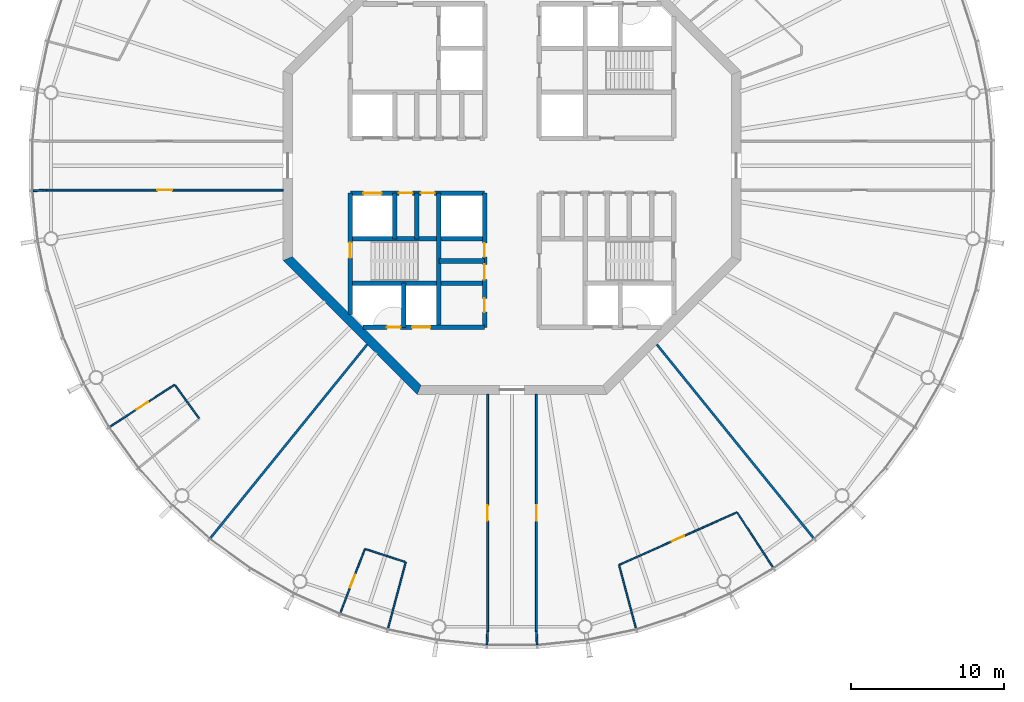
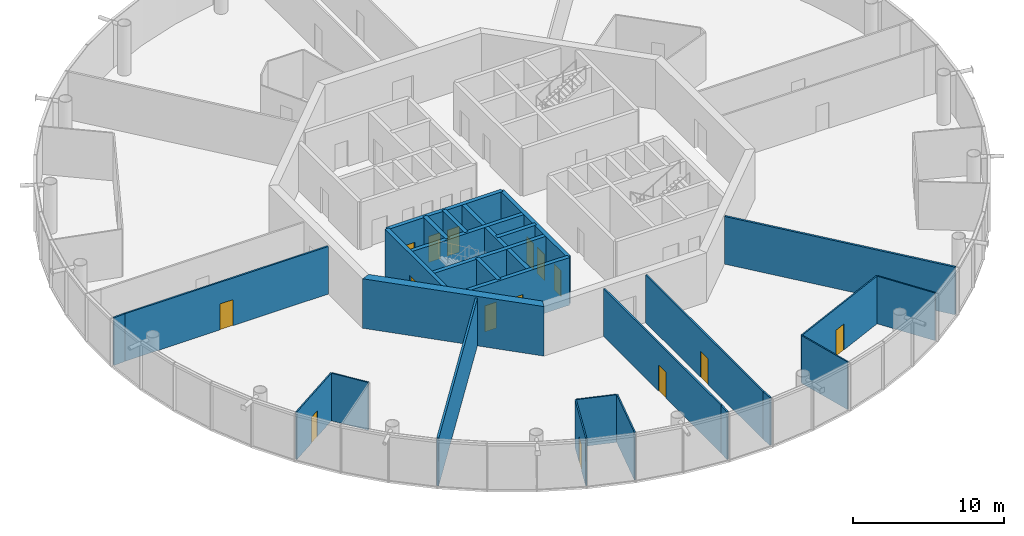
# One storey, part 3 of 18: 28 walls, 15 doors, 15 openings.
"""IFC4 building model written with IfcOpenShell, lengths in metres."""

from ifc_helpers import new_model, si_unit, direction, frame, frame_2d, origin, place, context, subcontext, project, spatial, polyline, rectangle, outline, extrude, material, layer, layer_set, type_object, element, fill, save


model = new_model("IFC4")

# Units and contexts
model_context = context("Model", 3, precision=1e-05, world=origin(), true_north=direction((0.0, 1.0)))
body_context = subcontext(model_context, "Body", "Model", "MODEL_VIEW")
ifc_project = project(units=[si_unit("LENGTHUNIT", "METRE"), si_unit("AREAUNIT", "SQUARE_METRE"), si_unit("VOLUMEUNIT", "CUBIC_METRE"), si_unit("PLANEANGLEUNIT", "RADIAN"), si_unit("MASSUNIT", "GRAM", prefix="KILO")], contexts=[model_context])

# Site, building, storey
site_placement = place(None, origin())
site = spatial("IfcSite", under=ifc_project, at=site_placement, CompositionType="ELEMENT")
building_placement = place(site_placement, origin())
building = spatial("IfcBuilding", under=site, at=building_placement, Name="Entoto Ring Tower", CompositionType="ELEMENT")
storey_placement = place(building_placement, frame((0.0, 0.0, 388.0)))
storey = spatial("IfcBuildingStorey", under=building, at=storey_placement, Name="L90", CompositionType="ELEMENT", Elevation=388.0)

# Wall, openings, doors
ifc_material_1 = material(Name="Concrete C40/50", Category="concrete")
ifc_layer_1 = layer(ifc_material_1, 0.300048828125)
ifc_layer_set_1 = layer_set([ifc_layer_1], Name="Concrete C40/50")
wall_type_1 = type_object("IfcWallType", Name="Core enclosure wall 300 mm reinforced concrete", PredefinedType="SOLIDWALL", material=ifc_layer_set_1)
wall_1_placement = place(storey_placement, frame((88.199951171875, 69.39990234375, 0.0), z_axis=(0.0, 0.0, 1.0), x_axis=(0.0, 1.0, 0.0)))
wall_1 = element("IfcWall", 1, at=wall_1_placement, inside=storey, type_object=wall_type_1, Name="wall-L90-013", PredefinedType="SOLIDWALL", context=body_context, shape_type="SweptSolid", body=[
    extrude(rectangle(XDim=8.800048828125, YDim=0.300048828125, at=frame_2d((4.39990234375, 0.0))), origin(), (0.0, 0.0, 1.0), 3.85009765625),
])
opening_1_placement = place(wall_1_placement, frame((3.125, 0.0, 0.0)))
opening_1 = element("IfcOpeningElement", 2, at=opening_1_placement, cuts=wall_1, Name="Opening K-70", PredefinedType="OPENING", context=body_context, shape_type="SweptSolid", body=[
    extrude(rectangle(XDim=1.0, YDim=2.10009765625, at=frame_2d((0.5, 1.050048828125))), frame((0.0, 0.16015625, 0.0), z_axis=(0.0, -1.0, 0.0), x_axis=(1.0, 0.0, 0.0)), (0.0, 0.0, 1.0), 0.320068359375),
])
opening_2_placement = place(wall_1_placement, frame((4.625, 0.0, 0.0)))
opening_2 = element("IfcOpeningElement", 3, at=opening_2_placement, cuts=wall_1, Name="Opening K-71", PredefinedType="OPENING", context=body_context, shape_type="SweptSolid", body=[
    extrude(rectangle(XDim=0.89990234375, YDim=2.10009765625, at=frame_2d((0.449951171875, 1.050048828125))), frame((0.0, 0.16015625, 0.0), z_axis=(0.0, -1.0, 0.0), x_axis=(1.0, 0.0, 0.0)), (0.0, 0.0, 1.0), 0.320068359375),
])
opening_3_placement = place(wall_1_placement, frame((1.0, 0.0, 0.0)))
opening_3 = element("IfcOpeningElement", 4, at=opening_3_placement, cuts=wall_1, Name="Opening K-24", PredefinedType="OPENING", context=body_context, shape_type="SweptSolid", body=[
    extrude(rectangle(XDim=0.89990234375, YDim=2.10009765625, at=frame_2d((0.449951171875, 1.050048828125))), frame((0.0, 0.16015625, 0.0), z_axis=(0.0, -1.0, 0.0), x_axis=(1.0, 0.0, 0.0)), (0.0, 0.0, 1.0), 0.320068359375),
])
ifc_material_2 = material(Name="Steel door leaf, fire rated", Category="steel")
ifc_layer_2 = layer(ifc_material_2, 0.050048828125)
ifc_layer_set_2 = layer_set([ifc_layer_2], Name="Steel door leaf, fire rated")
door_type_1 = type_object("IfcDoorType", Name="Accessible door 1000 x 2100 single leaf", OperationType="NOTDEFINED", PredefinedType="DOOR", material=ifc_layer_set_2)
door_1_placement = place(opening_1_placement, origin())
door_1 = element("IfcDoor", 5, at=door_1_placement, inside=storey, type_object=door_type_1, Name="Door K-70", OperationType="SINGLE_SWING_RIGHT", OverallHeight=2.10009765625, OverallWidth=1.0, PredefinedType="DOOR", context=body_context, shape_type="SweptSolid", body=[
    extrude(rectangle(XDim=1.0, YDim=2.10009765625, at=frame_2d((0.5, 1.050048828125))), frame((0.0, 0.02490234375, 0.0), z_axis=(0.0, -1.0, 0.0), x_axis=(1.0, 0.0, 0.0)), (0.0, 0.0, 1.0), 0.050048828125),
])
fill(opening_1, door_1)
ifc_material_3 = material(Name="Steel door leaf, fire rated", Category="steel")
ifc_layer_3 = layer(ifc_material_3, 0.050048828125)
ifc_layer_set_3 = layer_set([ifc_layer_3], Name="Steel door leaf, fire rated")
door_type_2 = type_object("IfcDoorType", Name="Core door 900 x 2100 single leaf", OperationType="NOTDEFINED", PredefinedType="DOOR", material=ifc_layer_set_3)
door_2_placement = place(opening_2_placement, origin())
door_2 = element("IfcDoor", 6, at=door_2_placement, inside=storey, type_object=door_type_2, Name="Door K-71", OperationType="SINGLE_SWING_RIGHT", OverallHeight=2.10009765625, OverallWidth=0.89990234375, PredefinedType="DOOR", context=body_context, shape_type="SweptSolid", body=[
    extrude(rectangle(XDim=0.89990234375, YDim=2.10009765625, at=frame_2d((0.449951171875, 1.050048828125))), frame((0.0, 0.02490234375, 0.0), z_axis=(0.0, -1.0, 0.0), x_axis=(1.0, 0.0, 0.0)), (0.0, 0.0, 1.0), 0.050048828125),
])
fill(opening_2, door_2)
door_3_placement = place(opening_3_placement, origin())
door_3 = element("IfcDoor", 7, at=door_3_placement, inside=storey, type_object=door_type_2, Name="Door K-24", OperationType="SINGLE_SWING_RIGHT", OverallHeight=2.10009765625, OverallWidth=0.89990234375, PredefinedType="DOOR", context=body_context, shape_type="SweptSolid", body=[
    extrude(rectangle(XDim=0.89990234375, YDim=2.10009765625, at=frame_2d((0.449951171875, 1.050048828125))), frame((0.0, 0.02490234375, 0.0), z_axis=(0.0, -1.0, 0.0), x_axis=(1.0, 0.0, 0.0)), (0.0, 0.0, 1.0), 0.050048828125),
])
fill(opening_3, door_3)

# Walls
wall_2_placement = place(storey_placement, frame((85.199951171875, 69.39990234375, 0.0), z_axis=(0.0, 0.0, 1.0), x_axis=(0.0, 1.0, 0.0)))
element("IfcWall", 8, at=wall_2_placement, inside=storey, type_object=wall_type_1, Name="wall-L90-016", PredefinedType="SOLIDWALL", context=body_context, shape_type="SweptSolid", body=[
    extrude(rectangle(XDim=8.800048828125, YDim=0.300048828125, at=frame_2d((4.39990234375, 0.0))), origin(), (0.0, 0.0, 1.0), 3.85009765625),
])
wall_3_placement = place(storey_placement, frame((83.75, 75.199951171875, 0.0), z_axis=(0.0, 0.0, 1.0), x_axis=(0.0, 1.0, 0.0)))
element("IfcWall", 9, at=wall_3_placement, inside=storey, type_object=wall_type_1, Name="wall-L90-018", PredefinedType="SOLIDWALL", context=body_context, shape_type="SweptSolid", body=[
    extrude(rectangle(XDim=3.0, YDim=0.300048828125, at=frame_2d((1.5, 0.0))), origin(), (0.0, 0.0, 1.0), 3.85009765625),
])
wall_4_placement = place(storey_placement, frame((82.89990234375, 69.39990234375, 0.0), z_axis=(0.0, 0.0, 1.0), x_axis=(0.0, 1.0, 0.0)))
element("IfcWall", 10, at=wall_4_placement, inside=storey, type_object=wall_type_1, Name="wall-L90-020", PredefinedType="SOLIDWALL", context=body_context, shape_type="SweptSolid", body=[
    extrude(rectangle(XDim=2.900146484375, YDim=0.300048828125, at=frame_2d((1.4501953125, 0.0))), origin(), (0.0, 0.0, 1.0), 3.85009765625),
])
wall_5_placement = place(storey_placement, frame((82.300048828125, 75.199951171875, 0.0), z_axis=(0.0, 0.0, 1.0), x_axis=(0.0, 1.0, 0.0)))
element("IfcWall", 11, at=wall_5_placement, inside=storey, type_object=wall_type_1, Name="wall-L90-021", PredefinedType="SOLIDWALL", context=body_context, shape_type="SweptSolid", body=[
    extrude(rectangle(XDim=3.0, YDim=0.300048828125, at=frame_2d((1.5, 0.0))), origin(), (0.0, 0.0, 1.0), 3.85009765625),
])

# Wall, opening, door
wall_6_placement = place(storey_placement, frame((79.39990234375, 70.2353515625, 0.0), z_axis=(0.0, 0.0, 1.0), x_axis=(0.0, 1.0, 0.0)))
wall_6 = element("IfcWall", 12, at=wall_6_placement, inside=storey, type_object=wall_type_1, Name="wall-L90-023", PredefinedType="SOLIDWALL", context=body_context, shape_type="SweptSolid", body=[
    extrude(rectangle(XDim=7.964599609375, YDim=0.300048828125, at=frame_2d((3.982421875, 0.0))), origin(), (0.0, 0.0, 1.0), 3.85009765625),
])
opening_4_placement = place(wall_6_placement, frame((3.714599609375, 0.0, 0.0)))
opening_4 = element("IfcOpeningElement", 13, at=opening_4_placement, cuts=wall_6, Name="Opening K-30", PredefinedType="OPENING", context=body_context, shape_type="SweptSolid", body=[
    extrude(rectangle(XDim=1.0, YDim=2.10009765625, at=frame_2d((0.5, 1.050048828125))), frame((0.0, 0.16015625, 0.0), z_axis=(0.0, -1.0, 0.0), x_axis=(1.0, 0.0, 0.0)), (0.0, 0.0, 1.0), 0.320068359375),
])
ifc_material_4 = material(Name="Steel door leaf, fire rated", Category="steel")
ifc_layer_4 = layer(ifc_material_4, 0.050048828125)
ifc_layer_set_4 = layer_set([ifc_layer_4], Name="Steel door leaf, fire rated")
door_type_3 = type_object("IfcDoorType", Name="Fire door FD60 1000 x 2100 single leaf", OperationType="NOTDEFINED", PredefinedType="DOOR", material=ifc_layer_set_4)
door_4_placement = place(opening_4_placement, frame((1.0, 0.0, 0.0), z_axis=(0.0, 0.0, 1.0), x_axis=(-1.0, 0.0, 0.0)))
door_4 = element("IfcDoor", 14, at=door_4_placement, inside=storey, type_object=door_type_3, Name="Door K-30", OperationType="SINGLE_SWING_LEFT", OverallHeight=2.10009765625, OverallWidth=1.0, PredefinedType="DOOR", context=body_context, shape_type="SweptSolid", body=[
    extrude(rectangle(XDim=1.0, YDim=2.10009765625, at=frame_2d((0.5, 1.050048828125))), frame((0.0, 0.02490234375, 0.0), z_axis=(0.0, -1.0, 0.0), x_axis=(1.0, 0.0, 0.0)), (0.0, 0.0, 1.0), 0.050048828125),
])
fill(opening_4, door_4)

# Wall, openings, doors
wall_7_placement = place(storey_placement, frame((80.2353515625, 69.39990234375, 0.0), z_axis=(0.0, 0.0, 1.0), x_axis=(1.0, 0.0, 0.0)))
wall_7 = element("IfcWall", 15, at=wall_7_placement, inside=storey, type_object=wall_type_1, Name="wall-L90-025", PredefinedType="SOLIDWALL", context=body_context, shape_type="SweptSolid", body=[
    extrude(rectangle(XDim=7.964599609375, YDim=0.300048828125, at=frame_2d((3.982421875, 0.0))), origin(), (0.0, 0.0, 1.0), 3.85009765625),
])
opening_5_placement = place(wall_7_placement, frame((3.214599609375, 0.0, 0.0)))
opening_5 = element("IfcOpeningElement", 16, at=opening_5_placement, cuts=wall_7, Name="Opening LD", PredefinedType="OPENING", context=body_context, shape_type="SweptSolid", body=[
    extrude(rectangle(XDim=1.199951171875, YDim=2.10009765625, at=frame_2d((0.60009765625, 1.050048828125))), frame((0.0, 0.16015625, 0.0), z_axis=(0.0, -1.0, 0.0), x_axis=(1.0, 0.0, 0.0)), (0.0, 0.0, 1.0), 0.320068359375),
])
opening_6_placement = place(wall_7_placement, frame((1.564697265625, 0.0, 0.0)))
opening_6 = element("IfcOpeningElement", 17, at=opening_6_placement, cuts=wall_7, Name="Opening K-33", PredefinedType="OPENING", context=body_context, shape_type="SweptSolid", body=[
    extrude(rectangle(XDim=0.89990234375, YDim=2.10009765625, at=frame_2d((0.449951171875, 1.050048828125))), frame((0.0, 0.16015625, 0.0), z_axis=(0.0, -1.0, 0.0), x_axis=(1.0, 0.0, 0.0)), (0.0, 0.0, 1.0), 0.320068359375),
])
ifc_material_5 = material(Name="Steel and glass door leaf", Category="steel")
ifc_layer_5 = layer(ifc_material_5, 0.050048828125)
ifc_layer_set_5 = layer_set([ifc_layer_5], Name="Steel and glass door leaf")
door_type_4 = type_object("IfcDoorType", Name="Landing door 1200 x 2100 sliding", OperationType="DOUBLE_DOOR_SLIDING", PredefinedType="DOOR", material=ifc_layer_set_5)
door_5_placement = place(opening_5_placement, origin())
door_5 = element("IfcDoor", 18, at=door_5_placement, inside=storey, type_object=door_type_4, Name="Landing door LB3-HR", OperationType="SLIDING_TO_RIGHT", OverallHeight=2.10009765625, OverallWidth=1.199951171875, PredefinedType="DOOR", context=body_context, shape_type="SweptSolid", body=[
    extrude(rectangle(XDim=1.199951171875, YDim=2.10009765625, at=frame_2d((0.60009765625, 1.050048828125))), frame((0.0, 0.02490234375, 0.0), z_axis=(0.0, -1.0, 0.0), x_axis=(1.0, 0.0, 0.0)), (0.0, 0.0, 1.0), 0.050048828125),
])
fill(opening_5, door_5)
ifc_material_6 = material(Name="Steel door leaf, fire rated", Category="steel")
ifc_layer_6 = layer(ifc_material_6, 0.050048828125)
ifc_layer_set_6 = layer_set([ifc_layer_6], Name="Steel door leaf, fire rated")
door_type_5 = type_object("IfcDoorType", Name="Riser door FD60 900 x 2100 single leaf", OperationType="NOTDEFINED", PredefinedType="DOOR", material=ifc_layer_set_6)
door_6_placement = place(opening_6_placement, origin())
door_6 = element("IfcDoor", 19, at=door_6_placement, inside=storey, type_object=door_type_5, Name="Door K-33", OperationType="SINGLE_SWING_RIGHT", OverallHeight=2.10009765625, OverallWidth=0.89990234375, PredefinedType="DOOR", context=body_context, shape_type="SweptSolid", body=[
    extrude(rectangle(XDim=0.89990234375, YDim=2.10009765625, at=frame_2d((0.449951171875, 1.050048828125))), frame((0.0, 0.02490234375, 0.0), z_axis=(0.0, -1.0, 0.0), x_axis=(1.0, 0.0, 0.0)), (0.0, 0.0, 1.0), 0.050048828125),
])
fill(opening_6, door_6)

# Walls
wall_8_placement = place(storey_placement, frame((79.39990234375, 72.300048828125, 0.0), z_axis=(0.0, 0.0, 1.0), x_axis=(1.0, 0.0, 0.0)))
element("IfcWall", 20, at=wall_8_placement, inside=storey, type_object=wall_type_1, Name="wall-L90-027", PredefinedType="SOLIDWALL", context=body_context, shape_type="SweptSolid", body=[
    extrude(rectangle(XDim=8.800048828125, YDim=0.300048828125, at=frame_2d((4.39990234375, 0.0))), origin(), (0.0, 0.0, 1.0), 3.85009765625),
])
wall_9_placement = place(storey_placement, frame((85.199951171875, 73.75, 0.0), z_axis=(0.0, 0.0, 1.0), x_axis=(1.0, 0.0, 0.0)))
element("IfcWall", 21, at=wall_9_placement, inside=storey, type_object=wall_type_1, Name="wall-L90-029", PredefinedType="SOLIDWALL", context=body_context, shape_type="SweptSolid", body=[
    extrude(rectangle(XDim=3.0, YDim=0.300048828125, at=frame_2d((1.5, 0.0))), origin(), (0.0, 0.0, 1.0), 3.85009765625),
])
wall_10_placement = place(storey_placement, frame((79.39990234375, 75.199951171875, 0.0), z_axis=(0.0, 0.0, 1.0), x_axis=(1.0, 0.0, 0.0)))
element("IfcWall", 22, at=wall_10_placement, inside=storey, type_object=wall_type_1, Name="wall-L90-030", PredefinedType="SOLIDWALL", context=body_context, shape_type="SweptSolid", body=[
    extrude(rectangle(XDim=8.800048828125, YDim=0.300048828125, at=frame_2d((4.39990234375, 0.0))), origin(), (0.0, 0.0, 1.0), 3.85009765625),
])

# Wall, openings, doors
wall_11_placement = place(storey_placement, frame((79.39990234375, 78.199951171875, 0.0), z_axis=(0.0, 0.0, 1.0), x_axis=(1.0, 0.0, 0.0)))
wall_11 = element("IfcWall", 23, at=wall_11_placement, inside=storey, type_object=wall_type_1, Name="wall-L90-032", PredefinedType="SOLIDWALL", context=body_context, shape_type="SweptSolid", body=[
    extrude(rectangle(XDim=8.800048828125, YDim=0.300048828125, at=frame_2d((4.39990234375, 0.0))), origin(), (0.0, 0.0, 1.0), 3.85009765625),
])
opening_7_placement = place(wall_11_placement, frame((0.85009765625, 0.0, 0.0)))
opening_7 = element("IfcOpeningElement", 24, at=opening_7_placement, cuts=wall_11, Name="Opening LD", PredefinedType="OPENING", context=body_context, shape_type="SweptSolid", body=[
    extrude(rectangle(XDim=1.199951171875, YDim=2.10009765625, at=frame_2d((0.60009765625, 1.050048828125))), frame((0.0, 0.16015625, 0.0), z_axis=(0.0, -1.0, 0.0), x_axis=(1.0, 0.0, 0.0)), (0.0, 0.0, 1.0), 0.320068359375),
])
opening_8_placement = place(wall_11_placement, frame((3.175048828125, 0.0, 0.0)))
opening_8 = element("IfcOpeningElement", 25, at=opening_8_placement, cuts=wall_11, Name="Opening K-18", PredefinedType="OPENING", context=body_context, shape_type="SweptSolid", body=[
    extrude(rectangle(XDim=0.89990234375, YDim=2.10009765625, at=frame_2d((0.449951171875, 1.050048828125))), frame((0.0, 0.16015625, 0.0), z_axis=(0.0, -1.0, 0.0), x_axis=(1.0, 0.0, 0.0)), (0.0, 0.0, 1.0), 0.320068359375),
])
opening_9_placement = place(wall_11_placement, frame((4.625, 0.0, 0.0)))
opening_9 = element("IfcOpeningElement", 26, at=opening_9_placement, cuts=wall_11, Name="Opening K-19", PredefinedType="OPENING", context=body_context, shape_type="SweptSolid", body=[
    extrude(rectangle(XDim=0.89990234375, YDim=2.10009765625, at=frame_2d((0.449951171875, 1.050048828125))), frame((0.0, 0.16015625, 0.0), z_axis=(0.0, -1.0, 0.0), x_axis=(1.0, 0.0, 0.0)), (0.0, 0.0, 1.0), 0.320068359375),
])
door_7_placement = place(opening_8_placement, frame((0.89990234375, 0.0, 0.0), z_axis=(0.0, 0.0, 1.0), x_axis=(-1.0, 0.0, 0.0)))
door_7 = element("IfcDoor", 27, at=door_7_placement, inside=storey, type_object=door_type_2, Name="Door K-18", OperationType="SINGLE_SWING_LEFT", OverallHeight=2.10009765625, OverallWidth=0.89990234375, PredefinedType="DOOR", context=body_context, shape_type="SweptSolid", body=[
    extrude(rectangle(XDim=0.89990234375, YDim=2.10009765625, at=frame_2d((0.449951171875, 1.050048828125))), frame((0.0, 0.02490234375, 0.0), z_axis=(0.0, -1.0, 0.0), x_axis=(1.0, 0.0, 0.0)), (0.0, 0.0, 1.0), 0.050048828125),
])
fill(opening_8, door_7)
door_8_placement = place(opening_9_placement, frame((0.89990234375, 0.0, 0.0), z_axis=(0.0, 0.0, 1.0), x_axis=(-1.0, 0.0, 0.0)))
door_8 = element("IfcDoor", 28, at=door_8_placement, inside=storey, type_object=door_type_2, Name="Door K-19", OperationType="SINGLE_SWING_LEFT", OverallHeight=2.10009765625, OverallWidth=0.89990234375, PredefinedType="DOOR", context=body_context, shape_type="SweptSolid", body=[
    extrude(rectangle(XDim=0.89990234375, YDim=2.10009765625, at=frame_2d((0.449951171875, 1.050048828125))), frame((0.0, 0.02490234375, 0.0), z_axis=(0.0, -1.0, 0.0), x_axis=(1.0, 0.0, 0.0)), (0.0, 0.0, 1.0), 0.050048828125),
])
fill(opening_9, door_8)
door_9_placement = place(opening_7_placement, origin())
door_9 = element("IfcDoor", 29, at=door_9_placement, inside=storey, type_object=door_type_4, Name="Landing door SH2", OperationType="SLIDING_TO_RIGHT", OverallHeight=2.10009765625, OverallWidth=1.199951171875, PredefinedType="DOOR", context=body_context, shape_type="SweptSolid", body=[
    extrude(rectangle(XDim=1.199951171875, YDim=2.10009765625, at=frame_2d((0.60009765625, 1.050048828125))), frame((0.0, 0.02490234375, 0.0), z_axis=(0.0, -1.0, 0.0), x_axis=(1.0, 0.0, 0.0)), (0.0, 0.0, 1.0), 0.050048828125),
])
fill(opening_7, door_9)

# Wall
ifc_material_7 = material(Name="Concrete C40/50", Category="concrete")
ifc_layer_7 = layer(ifc_material_7, 0.60009765625)
ifc_layer_set_7 = layer_set([ifc_layer_7], Name="Concrete C40/50")
wall_type_2 = type_object("IfcWallType", Name="Core shear wall 600 mm reinforced concrete C40/50", PredefinedType="SHEAR", material=ifc_layer_set_7)
wall_12_placement = place(storey_placement, frame((75.300048828125, 73.9111328125, 0.0), z_axis=(0.0, 0.0, 1.0), x_axis=(0.707106781187, -0.707106781187, 0.0)))
element("IfcWall", 30, at=wall_12_placement, inside=storey, type_object=wall_type_2, Name="wall-L90-core-5", PredefinedType="SHEAR", context=body_context, shape_type="SweptSolid", body=[
    extrude(outline(polyline([(-0.124267578125, -0.300048828125), (12.30224609375, -0.300048828125), (12.0537109375, 0.300048828125), (0.124267578125, 0.300048828125), (-0.124267578125, -0.300048828125)])), origin(), (0.0, 0.0, 1.0), 4.0),
])

# Wall, opening, door
ifc_material_8 = material(Name="Fire-resisting plasterboard on steel studs", Category="steel")
ifc_layer_8 = layer(ifc_material_8, 0.125)
ifc_layer_set_8 = layer_set([ifc_layer_8], Name="Fire-resisting plasterboard on steel studs")
wall_type_3 = type_object("IfcWallType", Name="Corridor wall 125 mm one-hour plasterboard on steel studs", PredefinedType="PARTITIONING", material=ifc_layer_set_8)
wall_13_placement = place(storey_placement, frame((59.47021484375, 78.39990234375, 0.0), z_axis=(0.0, 0.0, 1.0), x_axis=(1.0, 0.0, 0.0)))
wall_13 = element("IfcWall", 31, at=wall_13_placement, inside=storey, type_object=wall_type_3, Name="partition-L90-001", PredefinedType="PARTITIONING", context=body_context, shape_type="SweptSolid", body=[
    extrude(rectangle(XDim=15.52978515625, YDim=0.125, at=frame_2d((7.764892578125, 0.0))), origin(), (0.0, 0.0, 1.0), 3.85009765625),
])
opening_10_placement = place(wall_13_placement, frame((7.264892578125, 0.0, 0.0)))
opening_10 = element("IfcOpeningElement", 32, at=opening_10_placement, cuts=wall_13, Name="Opening A38-D09", PredefinedType="OPENING", context=body_context, shape_type="SweptSolid", body=[
    extrude(rectangle(XDim=1.0, YDim=2.10009765625, at=frame_2d((0.5, 1.050048828125))), frame((0.0, 0.072509765625, 0.0), z_axis=(0.0, -1.0, 0.0), x_axis=(1.0, 0.0, 0.0)), (0.0, 0.0, 1.0), 0.14501953125),
])
ifc_material_9 = material(Name="Fire-resisting timber door set", Category="wood")
door_type_6 = type_object("IfcDoorType", Name="Door 1000 x 2100 single leaf FD30S fire door", OperationType="NOTDEFINED", PredefinedType="DOOR", material=ifc_material_9)
door_10_placement = place(opening_10_placement, frame((1.0, 0.0, 0.0), z_axis=(0.0, 0.0, 1.0), x_axis=(-1.0, 0.0, 0.0)))
door_10 = element("IfcDoor", 33, at=door_10_placement, inside=storey, type_object=door_type_6, Name="Door A38-D09", OperationType="SINGLE_SWING_LEFT", OverallHeight=2.10009765625, OverallWidth=1.0, PredefinedType="DOOR", context=body_context, shape_type="SweptSolid", body=[
    extrude(rectangle(XDim=1.0, YDim=2.10009765625, at=frame_2d((0.5, 1.050048828125))), frame((0.0, 0.02490234375, 0.0), z_axis=(0.0, -1.0, 0.0), x_axis=(1.0, 0.0, 0.0)), (0.0, 0.0, 1.0), 0.050048828125),
])
fill(opening_10, door_10)

wall_14_placement = place(storey_placement, frame((88.39990234375, 49.47021484375, 0.0), z_axis=(0.0, 0.0, 1.0), x_axis=(0.0, 1.0, 0.0)))
wall_14 = element("IfcWall", 34, at=wall_14_placement, inside=storey, type_object=wall_type_3, Name="partition-L90-003", PredefinedType="PARTITIONING", context=body_context, shape_type="SweptSolid", body=[
    extrude(rectangle(XDim=15.52978515625, YDim=0.125, at=frame_2d((7.764892578125, 0.0))), origin(), (0.0, 0.0, 1.0), 3.85009765625),
])
opening_11_placement = place(wall_14_placement, frame((7.264892578125, 0.0, 0.0)))
opening_11 = element("IfcOpeningElement", 35, at=opening_11_placement, cuts=wall_14, Name="Opening A38-D11", PredefinedType="OPENING", context=body_context, shape_type="SweptSolid", body=[
    extrude(rectangle(XDim=1.0, YDim=2.10009765625, at=frame_2d((0.5, 1.050048828125))), frame((0.0, 0.072509765625, 0.0), z_axis=(0.0, -1.0, 0.0), x_axis=(1.0, 0.0, 0.0)), (0.0, 0.0, 1.0), 0.14501953125),
])
door_11_placement = place(opening_11_placement, origin())
door_11 = element("IfcDoor", 36, at=door_11_placement, inside=storey, type_object=door_type_6, Name="Door A38-D11", OperationType="SINGLE_SWING_RIGHT", OverallHeight=2.10009765625, OverallWidth=1.0, PredefinedType="DOOR", context=body_context, shape_type="SweptSolid", body=[
    extrude(rectangle(XDim=1.0, YDim=2.10009765625, at=frame_2d((0.5, 1.050048828125))), frame((0.0, 0.02490234375, 0.0), z_axis=(0.0, -1.0, 0.0), x_axis=(1.0, 0.0, 0.0)), (0.0, 0.0, 1.0), 0.050048828125),
])
fill(opening_11, door_11)

wall_15_placement = place(storey_placement, frame((91.60009765625, 49.47021484375, 0.0), z_axis=(0.0, 0.0, 1.0), x_axis=(0.0, 1.0, 0.0)))
wall_15 = element("IfcWall", 37, at=wall_15_placement, inside=storey, type_object=wall_type_3, Name="partition-L90-005", PredefinedType="PARTITIONING", context=body_context, shape_type="SweptSolid", body=[
    extrude(rectangle(XDim=15.52978515625, YDim=0.125, at=frame_2d((7.764892578125, 0.0))), origin(), (0.0, 0.0, 1.0), 3.85009765625),
])
opening_12_placement = place(wall_15_placement, frame((7.264892578125, 0.0, 0.0)))
opening_12 = element("IfcOpeningElement", 38, at=opening_12_placement, cuts=wall_15, Name="Opening A38-D13", PredefinedType="OPENING", context=body_context, shape_type="SweptSolid", body=[
    extrude(rectangle(XDim=1.0, YDim=2.10009765625, at=frame_2d((0.5, 1.050048828125))), frame((0.0, 0.072509765625, 0.0), z_axis=(0.0, -1.0, 0.0), x_axis=(1.0, 0.0, 0.0)), (0.0, 0.0, 1.0), 0.14501953125),
])
door_12_placement = place(opening_12_placement, frame((1.0, 0.0, 0.0), z_axis=(0.0, 0.0, 1.0), x_axis=(-1.0, 0.0, 0.0)))
door_12 = element("IfcDoor", 39, at=door_12_placement, inside=storey, type_object=door_type_6, Name="Door A38-D13", OperationType="SINGLE_SWING_LEFT", OverallHeight=2.10009765625, OverallWidth=1.0, PredefinedType="DOOR", context=body_context, shape_type="SweptSolid", body=[
    extrude(rectangle(XDim=1.0, YDim=2.10009765625, at=frame_2d((0.5, 1.050048828125))), frame((0.0, 0.02490234375, 0.0), z_axis=(0.0, -1.0, 0.0), x_axis=(1.0, 0.0, 0.0)), (0.0, 0.0, 1.0), 0.050048828125),
])
fill(opening_12, door_12)

# Walls
for number, where, z_axis, x_axis, name in (
    (40, (58.60302734375, 78.3544921875, 0.0), (0.0, 0.0, 1.0), (0.998620946423, 0.052499574911, 0.0), "partition-L90-009"),
    (41, (88.3544921875, 48.60302734375, 0.0), (0.0, 0.0, 1.0), (0.052499574911, 0.998620946423, 0.0), "partition-L90-011"),
    (42, (91.6455078125, 48.60302734375, 0.0), (0.0, 0.0, 1.0), (-0.052499574911, 0.998620946423, 0.0), "partition-L90-014"),
):
    element("IfcWall", number, at=place(storey_placement, frame(where, z_axis=z_axis, x_axis=x_axis)), inside=storey, type_object=wall_type_3, Name=name, PredefinedType="PARTITIONING", context=body_context, shape_type="SweptSolid", body=[
        extrude(rectangle(XDim=0.864990234375, YDim=0.125, at=frame_2d((0.4326171875, 0.0))), origin(), (0.0, 0.0, 1.0), 3.85009765625),
    ])

# Wall, opening, door
ifc_material_10 = material(Name="Plasterboard on steel studs", Category="steel")
ifc_layer_9 = layer(ifc_material_10, 0.10009765625)
ifc_layer_set_9 = layer_set([ifc_layer_9], Name="Plasterboard on steel studs")
wall_type_4 = type_object("IfcWallType", Name="Partition 100 mm plasterboard on steel studs", PredefinedType="PARTITIONING", material=ifc_layer_set_9)
wall_16_placement = place(storey_placement, frame((97.013916015625, 53.823486328125, 0.0), z_axis=(0.0, 0.0, 1.0), x_axis=(0.913553701123, 0.406718127411, 0.0)))
wall_16 = element("IfcWall", 43, at=wall_16_placement, inside=storey, type_object=wall_type_4, Name="partition-L90-022", PredefinedType="PARTITIONING", context=body_context, shape_type="SweptSolid", body=[
    extrude(rectangle(XDim=8.478759765625, YDim=0.10009765625, at=frame_2d((4.2392578125, 0.0))), origin(), (0.0, 0.0, 1.0), 3.85009765625),
])
opening_13_placement = place(wall_16_placement, frame((3.789306640625, 0.0, 0.0)))
opening_13 = element("IfcOpeningElement", 44, at=opening_13_placement, cuts=wall_16, Name="Opening A38-D14", PredefinedType="OPENING", context=body_context, shape_type="SweptSolid", body=[
    extrude(rectangle(XDim=0.89990234375, YDim=2.10009765625, at=frame_2d((0.449951171875, 1.050048828125))), frame((0.0, 0.06005859375, 0.0), z_axis=(0.0, -1.0, 0.0), x_axis=(1.0, 0.0, 0.0)), (0.0, 0.0, 1.0), 0.1201171875),
])
ifc_material_11 = material(Name="Veneered timber door leaf in timber frame", Category="wood")
door_type_7 = type_object("IfcDoorType", Name="Door 900 x 2100 single leaf timber veneer", OperationType="NOTDEFINED", PredefinedType="DOOR", material=ifc_material_11)
door_13_placement = place(opening_13_placement, frame((0.89990234375, 0.0, 0.0), z_axis=(0.0, 0.0, 1.0), x_axis=(-1.0, 0.0, 0.0)))
door_13 = element("IfcDoor", 45, at=door_13_placement, inside=storey, type_object=door_type_7, Name="Door A38-D14", OperationType="SINGLE_SWING_LEFT", OverallHeight=2.10009765625, OverallWidth=0.89990234375, PredefinedType="DOOR", context=body_context, shape_type="SweptSolid", body=[
    extrude(rectangle(XDim=0.89990234375, YDim=2.10009765625, at=frame_2d((0.449951171875, 1.050048828125))), frame((0.0, 0.02490234375, 0.0), z_axis=(0.0, -1.0, 0.0), x_axis=(1.0, 0.0, 0.0)), (0.0, 0.0, 1.0), 0.050048828125),
])
fill(opening_13, door_13)

wall_17_placement = place(storey_placement, frame((63.632080078125, 62.87646484375, 0.0), z_axis=(0.0, 0.0, 1.0), x_axis=(0.838664674471, 0.544648110062, 0.0)))
wall_17 = element("IfcWall", 46, at=wall_17_placement, inside=storey, type_object=wall_type_4, Name="partition-L90-025", PredefinedType="PARTITIONING", context=body_context, shape_type="SweptSolid", body=[
    extrude(rectangle(XDim=5.0703125, YDim=0.10009765625, at=frame_2d((2.53515625, 0.0))), origin(), (0.0, 0.0, 1.0), 3.85009765625),
])
opening_14_placement = place(wall_17_placement, frame((2.0849609375, 0.0, 0.0)))
opening_14 = element("IfcOpeningElement", 47, at=opening_14_placement, cuts=wall_17, Name="Opening A38-D10", PredefinedType="OPENING", context=body_context, shape_type="SweptSolid", body=[
    extrude(rectangle(XDim=0.89990234375, YDim=2.10009765625, at=frame_2d((0.449951171875, 1.050048828125))), frame((0.0, 0.06005859375, 0.0), z_axis=(0.0, -1.0, 0.0), x_axis=(1.0, 0.0, 0.0)), (0.0, 0.0, 1.0), 0.1201171875),
])
door_14_placement = place(opening_14_placement, frame((0.89990234375, 0.0, 0.0), z_axis=(0.0, 0.0, 1.0), x_axis=(-1.0, 0.0, 0.0)))
door_14 = element("IfcDoor", 48, at=door_14_placement, inside=storey, type_object=door_type_7, Name="Door A38-D10", OperationType="SINGLE_SWING_RIGHT", OverallHeight=2.10009765625, OverallWidth=0.89990234375, PredefinedType="DOOR", context=body_context, shape_type="SweptSolid", body=[
    extrude(rectangle(XDim=0.89990234375, YDim=2.10009765625, at=frame_2d((0.449951171875, 1.050048828125))), frame((0.0, 0.02490234375, 0.0), z_axis=(0.0, -1.0, 0.0), x_axis=(1.0, 0.0, 0.0)), (0.0, 0.0, 1.0), 0.050048828125),
])
fill(opening_14, door_14)

wall_18_placement = place(storey_placement, frame((78.73291015625, 50.648193359375, 0.0), z_axis=(0.0, 0.0, 1.0), x_axis=(0.358336164468, 0.933592627024, 0.0)))
wall_18 = element("IfcWall", 49, at=wall_18_placement, inside=storey, type_object=wall_type_4, Name="partition-L90-033", PredefinedType="PARTITIONING", context=body_context, shape_type="SweptSolid", body=[
    extrude(rectangle(XDim=4.530029296875, YDim=0.10009765625, at=frame_2d((2.26513671875, 0.0))), origin(), (0.0, 0.0, 1.0), 3.85009765625),
])
opening_15_placement = place(wall_18_placement, frame((1.81494140625, 0.0, 0.0)))
opening_15 = element("IfcOpeningElement", 50, at=opening_15_placement, cuts=wall_18, Name="Opening A38-D12", PredefinedType="OPENING", context=body_context, shape_type="SweptSolid", body=[
    extrude(rectangle(XDim=0.89990234375, YDim=2.10009765625, at=frame_2d((0.449951171875, 1.050048828125))), frame((0.0, 0.06005859375, 0.0), z_axis=(0.0, -1.0, 0.0), x_axis=(1.0, 0.0, 0.0)), (0.0, 0.0, 1.0), 0.1201171875),
])
door_15_placement = place(opening_15_placement, frame((0.89990234375, 0.0, 0.0), z_axis=(0.0, 0.0, 1.0), x_axis=(-1.0, 0.0, 0.0)))
door_15 = element("IfcDoor", 51, at=door_15_placement, inside=storey, type_object=door_type_7, Name="Door A38-D12", OperationType="SINGLE_SWING_RIGHT", OverallHeight=2.10009765625, OverallWidth=0.89990234375, PredefinedType="DOOR", context=body_context, shape_type="SweptSolid", body=[
    extrude(rectangle(XDim=0.89990234375, YDim=2.10009765625, at=frame_2d((0.449951171875, 1.050048828125))), frame((0.0, 0.02490234375, 0.0), z_axis=(0.0, -1.0, 0.0), x_axis=(1.0, 0.0, 0.0)), (0.0, 0.0, 1.0), 0.050048828125),
])
fill(opening_15, door_15)

# Walls
wall_19_placement = place(storey_placement, frame((81.86279296875, 49.63134765625, 0.0), z_axis=(0.0, 0.0, 1.0), x_axis=(0.258809720745, 0.965928324695, 0.0)))
element("IfcWall", 52, at=wall_19_placement, inside=storey, type_object=wall_type_4, Name="partition-L90-034", PredefinedType="PARTITIONING", context=body_context, shape_type="SweptSolid", body=[
    extrude(rectangle(XDim=4.52978515625, YDim=0.10009765625, at=frame_2d((2.264892578125, 0.0))), origin(), (0.0, 0.0, 1.0), 3.85009765625),
])
for number, where, z_axis, x_axis, name in (
    (53, (107.12353515625, 53.632080078125, 0.0), (0.0, 0.0, 1.0), (-0.544628312583, 0.838677531077, 0.0), "partition-L90-035"),
    (54, (98.13720703125, 49.63134765625, 0.0), (0.0, 0.0, 1.0), (-0.258781591462, 0.965935861183, 0.0), "partition-L90-036"),
):
    element("IfcWall", number, at=place(storey_placement, frame(where, z_axis=z_axis, x_axis=x_axis)), inside=storey, type_object=wall_type_4, Name=name, PredefinedType="PARTITIONING", context=body_context, shape_type="SweptSolid", body=[
        extrude(rectangle(XDim=4.290771484375, YDim=0.10009765625, at=frame_2d((2.1455078125, 0.0))), origin(), (0.0, 0.0, 1.0), 3.85009765625),
    ])
wall_20_placement = place(storey_placement, frame((82.98779296875, 54.0224609375, 0.0), z_axis=(0.0, 0.0, 1.0), x_axis=(-0.951081603695, 0.308939772629, 0.0)))
element("IfcWall", 55, at=wall_20_placement, inside=storey, type_object=wall_type_4, Name="partition-L90-041", PredefinedType="PARTITIONING", context=body_context, shape_type="SweptSolid", body=[
    extrude(rectangle(XDim=2.716796875, YDim=0.10009765625, at=frame_2d((1.3583984375, 0.0))), origin(), (0.0, 0.0, 1.0), 3.85009765625),
])
wall_21_placement = place(storey_placement, frame((69.477294921875, 63.4453125, 0.0), z_axis=(0.0, 0.0, 1.0), x_axis=(-0.587816944299, 0.808993967836, 0.0)))
element("IfcWall", 56, at=wall_21_placement, inside=storey, type_object=wall_type_4, Name="partition-L90-043", PredefinedType="PARTITIONING", context=body_context, shape_type="SweptSolid", body=[
    extrude(rectangle(XDim=2.66015625, YDim=0.10009765625, at=frame_2d((1.330078125, 0.0))), origin(), (0.0, 0.0, 1.0), 3.85009765625),
])
ifc_material_12 = material(Name="Fire-resisting acoustic plasterboard on steel studs", Category="steel")
ifc_layer_10 = layer(ifc_material_12, 0.14990234375)
ifc_layer_set_10 = layer_set([ifc_layer_10], Name="Fire-resisting acoustic plasterboard on steel studs")
wall_type_5 = type_object("IfcWallType", Name="Party wall 150 mm one-hour acoustic plasterboard on steel studs", PredefinedType="PARTITIONING", material=ifc_layer_set_10)
for number, where, z_axis, x_axis, name in (
    (57, (70.214111328125, 55.56640625, 0.0), (0.0, 0.0, 1.0), (0.629323592667, 0.777143368827, 0.0), "partition-L90-017"),
    (58, (109.785888671875, 55.56640625, 0.0), (0.0, 0.0, 1.0), (-0.629323592667, 0.777143368827, 0.0), "partition-L90-020"),
):
    element("IfcWall", number, at=place(storey_placement, frame(where, z_axis=z_axis, x_axis=x_axis)), inside=storey, type_object=wall_type_5, Name=name, PredefinedType="PARTITIONING", context=body_context, shape_type="SweptSolid", body=[
        extrude(rectangle(XDim=16.357666015625, YDim=0.14990234375, at=frame_2d((8.1787109375, 0.0))), origin(), (0.0, 0.0, 1.0), 3.85009765625),
    ])

save(model, "model.ifc")
